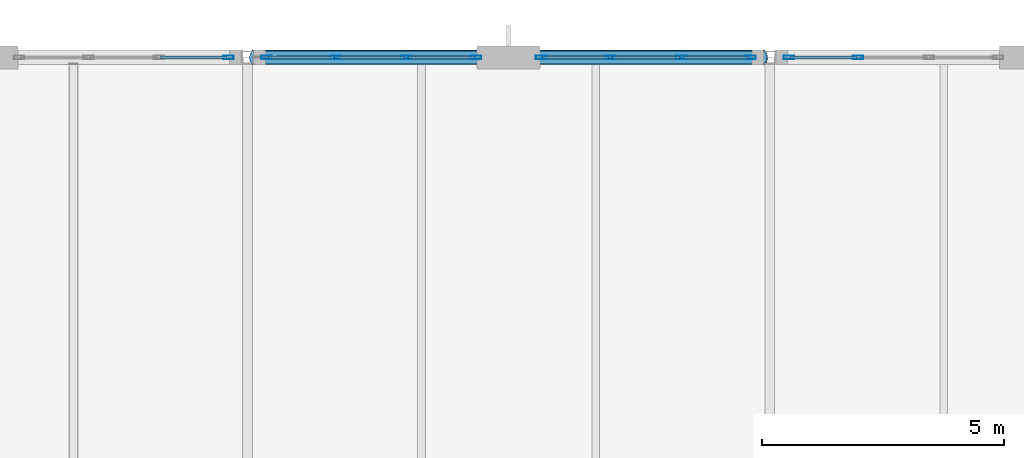
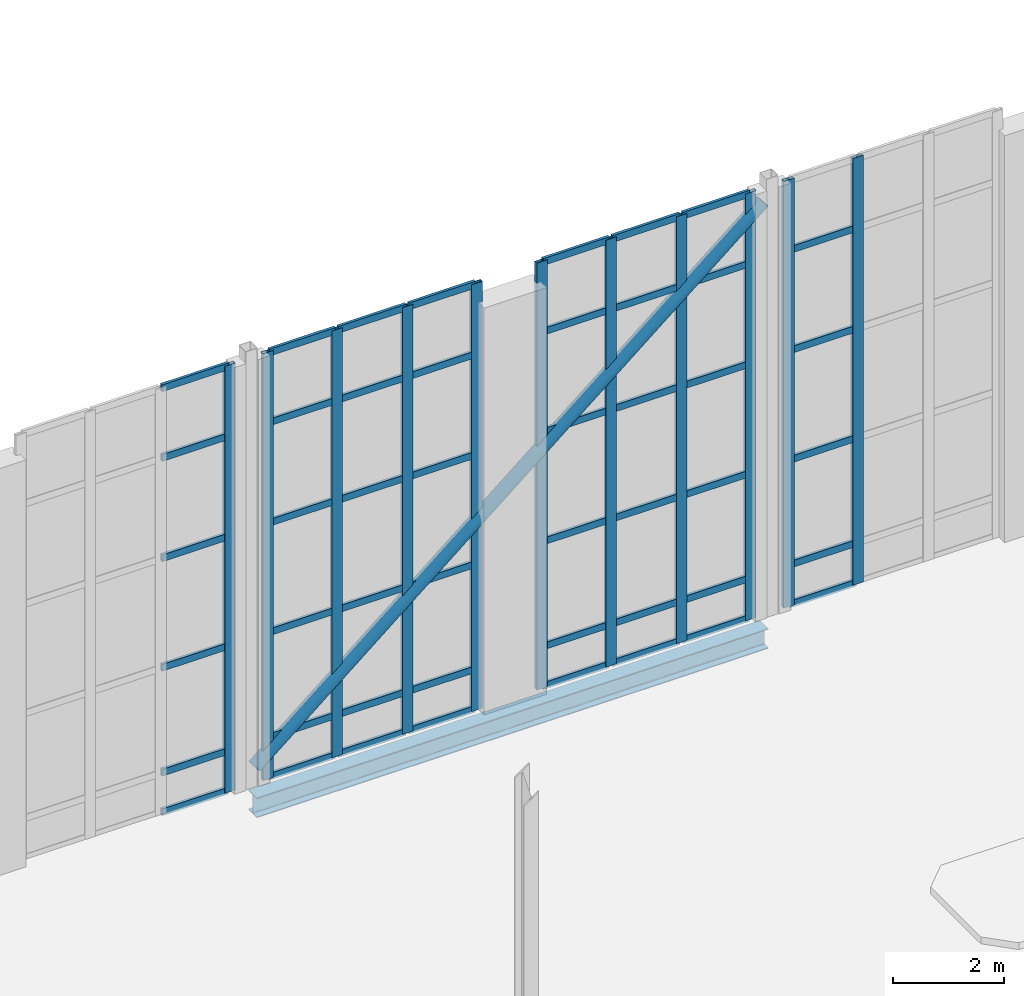
# One storey, part 54 of 100: 59 members, 1 beam, 4 elements without a shape of their own.
"""IFC4 building model written with IfcOpenShell, lengths in metres."""

from ifc_helpers import new_model, si_unit, direction, frame, origin, origin_2d, place, context, subcontext, project, spatial, hollow_rectangle, hollow_circle, i_section, extrude, material, layer, layer_set, material_profile, profile_set, type_object, element, aggregate, save


model = new_model("IFC4")

# Units and contexts
model_context = context("Model", 3, precision=1e-05, world=origin(), true_north=direction((0.0, 1.0)))
body_context = subcontext(model_context, "Body", "Model", "MODEL_VIEW")
ifc_project = project(units=[si_unit("LENGTHUNIT", "METRE"), si_unit("AREAUNIT", "SQUARE_METRE"), si_unit("VOLUMEUNIT", "CUBIC_METRE"), si_unit("PLANEANGLEUNIT", "RADIAN"), si_unit("MASSUNIT", "GRAM", prefix="KILO")], contexts=[model_context])

# Site, building, storey
site_placement = place(None, origin())
site = spatial("IfcSite", under=ifc_project, at=site_placement, CompositionType="ELEMENT")
building_placement = place(site_placement, origin())
building = spatial("IfcBuilding", under=site, at=building_placement, Name="Tasgan Crest Museum", CompositionType="ELEMENT")
storey_placement = place(building_placement, frame((0.0, 0.0, 14.39990234375)))
storey = spatial("IfcBuildingStorey", under=building, at=storey_placement, Name="L03", CompositionType="ELEMENT", Elevation=14.39990234375)

# Beam
ifc_material_1 = material(Name="Steel S355J2", Category="steel")
ifc_material_profile_1 = material_profile(ifc_material_1, i_section(OverallWidth=0.300048828125, OverallDepth=0.43994140625, WebThickness=0.011474609375, FlangeThickness=0.02099609375, FilletRadius=0.027099609375, at=origin_2d()), Name="HEA 450")
ifc_profile_set_1 = profile_set([ifc_material_profile_1], Name="Steel S355J2")
beam_type = type_object("IfcBeamType", Name="BM-G-HEA450", PredefinedType="BEAM", material=ifc_profile_set_1)
beam_placement = place(storey_placement, frame((64.89599609375, 112.0, -0.4599609375), z_axis=(1.0, 0.0, 0.0), x_axis=(0.0, 1.0, 0.0)))
element("IfcBeam", 1, at=beam_placement, inside=storey, type_object=beam_type, Name="Girder L03 M 64.8-75.6", PredefinedType="BEAM", context=body_context, shape_type="SweptSolid", body=[
    extrude(i_section(OverallWidth=0.300048828125, OverallDepth=0.43994140625, WebThickness=0.011474609375, FlangeThickness=0.02099609375, FilletRadius=0.027099609375, at=origin_2d()), origin(), (0.0, 0.0, 1.0), 10.60791015625),
])

# Curtain wall, members
ifc_material_2 = material(Name="Triple-Glazed Aluminium Curtain Wall", Category="aluminium")
ifc_layer_1 = layer(ifc_material_2, 0.179931640625, Name="CW-GAL-X-96")
ifc_layer_set_1 = layer_set([ifc_layer_1], Name="Triple-Glazed Aluminium Curtain Wall")
curtain_wall_type_1 = type_object("IfcCurtainWallType", Name="CW-GAL-X-96", PredefinedType="NOTDEFINED", material=ifc_layer_set_1)
curtain_wall_1_placement = place(storey_placement, origin())
curtain_wall_1 = element("IfcCurtainWall", 2, at=curtain_wall_1_placement, inside=storey, type_object=curtain_wall_type_1, Name="Curtain wall L03 126", PredefinedType="NOTDEFINED")
ifc_material_3 = material(Name="Anodised Aluminium", Category="aluminium")
ifc_material_profile_2 = material_profile(ifc_material_3, hollow_rectangle(XDim=0.074951171875, YDim=0.219970703125, WallThickness=0.006103515625, at=origin_2d()), Name="ALU MULLION 220x75x6")
ifc_profile_set_2 = profile_set([ifc_material_profile_2], Name="Anodised Aluminium")
member_type_1 = type_object("IfcMemberType", Name="CW-MULLION-220", PredefinedType="MULLION", material=ifc_profile_set_2)
member_1_placement = place(storey_placement, frame((77.42822265625, 112.0, 0.0), z_axis=(0.0, 0.0, 1.0), x_axis=(0.0, -1.0, 0.0)))
member_1 = element("IfcMember", 3, at=member_1_placement, type_object=member_type_1, Name="CW14 mullion 3", PredefinedType="MULLION", context=body_context, shape_type="SweptSolid", body=[
    extrude(hollow_rectangle(XDim=0.074951171875, YDim=0.219970703125, WallThickness=0.006103515625, at=origin_2d()), origin(), (0.0, 0.0, 1.0), 9.360107421875),
])
member_2_placement = place(storey_placement, frame((75.9951171875, 112.0, 0.0), z_axis=(0.0, 0.0, 1.0), x_axis=(0.0, -1.0, 0.0)))
member_2 = element("IfcMember", 4, at=member_2_placement, type_object=member_type_1, Name="CW14 mullion 4", PredefinedType="MULLION", context=body_context, shape_type="SweptSolid", body=[
    extrude(hollow_rectangle(XDim=0.074951171875, YDim=0.219970703125, WallThickness=0.006103515625, at=origin_2d()), origin(), (0.0, 0.0, 1.0), 9.360107421875),
])

curtain_wall_2_placement = place(storey_placement, origin())
curtain_wall_2 = element("IfcCurtainWall", 5, at=curtain_wall_2_placement, inside=storey, type_object=curtain_wall_type_1, Name="Curtain wall L03 127", PredefinedType="NOTDEFINED")
member_3_placement = place(storey_placement, frame((75.205078125, 112.0, 0.0), z_axis=(0.0, 0.0, 1.0), x_axis=(0.0, -1.0, 0.0)))
member_3 = element("IfcMember", 6, at=member_3_placement, type_object=member_type_1, Name="CW14 mullion 1", PredefinedType="MULLION", context=body_context, shape_type="SweptSolid", body=[
    extrude(hollow_rectangle(XDim=0.074951171875, YDim=0.219970703125, WallThickness=0.006103515625, at=origin_2d()), origin(), (0.0, 0.0, 1.0), 9.360107421875),
])
member_4_placement = place(storey_placement, frame((73.771728515625, 112.0, 0.0), z_axis=(0.0, 0.0, 1.0), x_axis=(0.0, -1.0, 0.0)))
member_4 = element("IfcMember", 7, at=member_4_placement, type_object=member_type_1, Name="CW14 mullion 2", PredefinedType="MULLION", context=body_context, shape_type="SweptSolid", body=[
    extrude(hollow_rectangle(XDim=0.074951171875, YDim=0.219970703125, WallThickness=0.006103515625, at=origin_2d()), origin(), (0.0, 0.0, 1.0), 9.360107421875),
])
member_5_placement = place(storey_placement, frame((72.308349609375, 112.0, 0.0), z_axis=(0.0, 0.0, 1.0), x_axis=(0.0, -1.0, 0.0)))
member_5 = element("IfcMember", 8, at=member_5_placement, type_object=member_type_1, Name="CW14 mullion 3", PredefinedType="MULLION", context=body_context, shape_type="SweptSolid", body=[
    extrude(hollow_rectangle(XDim=0.074951171875, YDim=0.219970703125, WallThickness=0.006103515625, at=origin_2d()), origin(), (0.0, 0.0, 1.0), 9.360107421875),
])
member_6_placement = place(storey_placement, frame((70.875, 112.0, 0.0), z_axis=(0.0, 0.0, 1.0), x_axis=(0.0, -1.0, 0.0)))
member_6 = element("IfcMember", 9, at=member_6_placement, type_object=member_type_1, Name="CW14 mullion 4", PredefinedType="MULLION", context=body_context, shape_type="SweptSolid", body=[
    extrude(hollow_rectangle(XDim=0.074951171875, YDim=0.219970703125, WallThickness=0.006103515625, at=origin_2d()), origin(), (0.0, 0.0, 1.0), 9.360107421875),
])

curtain_wall_3_placement = place(storey_placement, origin())
curtain_wall_3 = element("IfcCurtainWall", 10, at=curtain_wall_3_placement, inside=storey, type_object=curtain_wall_type_1, Name="Curtain wall L03 128", PredefinedType="NOTDEFINED")
member_7_placement = place(storey_placement, frame((69.52490234375, 112.0, 0.0), z_axis=(0.0, 0.0, 1.0), x_axis=(0.0, -1.0, 0.0)))
member_7 = element("IfcMember", 11, at=member_7_placement, type_object=member_type_1, Name="CW14 mullion 1", PredefinedType="MULLION", context=body_context, shape_type="SweptSolid", body=[
    extrude(hollow_rectangle(XDim=0.074951171875, YDim=0.219970703125, WallThickness=0.006103515625, at=origin_2d()), origin(), (0.0, 0.0, 1.0), 9.360107421875),
])
member_8_placement = place(storey_placement, frame((68.091552734375, 112.0, 0.0), z_axis=(0.0, 0.0, 1.0), x_axis=(0.0, -1.0, 0.0)))
member_8 = element("IfcMember", 12, at=member_8_placement, type_object=member_type_1, Name="CW14 mullion 2", PredefinedType="MULLION", context=body_context, shape_type="SweptSolid", body=[
    extrude(hollow_rectangle(XDim=0.074951171875, YDim=0.219970703125, WallThickness=0.006103515625, at=origin_2d()), origin(), (0.0, 0.0, 1.0), 9.360107421875),
])
member_9_placement = place(storey_placement, frame((66.62841796875, 112.0, 0.0), z_axis=(0.0, 0.0, 1.0), x_axis=(0.0, -1.0, 0.0)))
member_9 = element("IfcMember", 13, at=member_9_placement, type_object=member_type_1, Name="CW14 mullion 3", PredefinedType="MULLION", context=body_context, shape_type="SweptSolid", body=[
    extrude(hollow_rectangle(XDim=0.074951171875, YDim=0.219970703125, WallThickness=0.006103515625, at=origin_2d()), origin(), (0.0, 0.0, 1.0), 9.360107421875),
])
member_10_placement = place(storey_placement, frame((65.195068359375, 112.0, 0.0), z_axis=(0.0, 0.0, 1.0), x_axis=(0.0, -1.0, 0.0)))
member_10 = element("IfcMember", 14, at=member_10_placement, type_object=member_type_1, Name="CW14 mullion 4", PredefinedType="MULLION", context=body_context, shape_type="SweptSolid", body=[
    extrude(hollow_rectangle(XDim=0.074951171875, YDim=0.219970703125, WallThickness=0.006103515625, at=origin_2d()), origin(), (0.0, 0.0, 1.0), 9.360107421875),
])

# Curtain wall, member
ifc_material_4 = material(Name="Triple-Glazed Aluminium Curtain Wall", Category="aluminium")
ifc_layer_2 = layer(ifc_material_4, 0.179931640625, Name="CW-CORE-STRIP-96")
ifc_layer_set_2 = layer_set([ifc_layer_2], Name="Triple-Glazed Aluminium Curtain Wall")
curtain_wall_type_2 = type_object("IfcCurtainWallType", Name="CW-CORE-STRIP-96", PredefinedType="NOTDEFINED", material=ifc_layer_set_2)
curtain_wall_4_placement = place(storey_placement, origin())
curtain_wall_4 = element("IfcCurtainWall", 15, at=curtain_wall_4_placement, inside=storey, type_object=curtain_wall_type_2, Name="Curtain wall L03 129", PredefinedType="NOTDEFINED")
member_11_placement = place(storey_placement, frame((64.405029296875, 112.0, 0.0), z_axis=(0.0, 0.0, 1.0), x_axis=(0.0, -1.0, 0.0)))
member_11 = element("IfcMember", 16, at=member_11_placement, type_object=member_type_1, Name="CW20 mullion 1", PredefinedType="MULLION", context=body_context, shape_type="SweptSolid", body=[
    extrude(hollow_rectangle(XDim=0.074951171875, YDim=0.219970703125, WallThickness=0.006103515625, at=origin_2d()), origin(), (0.0, 0.0, 1.0), 9.360107421875),
])

# Member
ifc_material_5 = material(Name="Anodised Aluminium", Category="aluminium")
ifc_material_profile_3 = material_profile(ifc_material_5, hollow_rectangle(XDim=0.06005859375, YDim=0.14990234375, WallThickness=0.0048828125, at=origin_2d()), Name="ALU TRANSOM 150x60x5")
ifc_profile_set_3 = profile_set([ifc_material_profile_3], Name="Anodised Aluminium")
member_type_2 = type_object("IfcMemberType", Name="CW-TRANSOM-150", PredefinedType="USERDEFINED", material=ifc_profile_set_3)
member_12_placement = place(storey_placement, frame((77.3984375, 112.0, 0.030029296875), z_axis=(-1.0, 0.0, 0.0), x_axis=(0.0, -1.0, 0.0)))
member_12 = element("IfcMember", 17, at=member_12_placement, type_object=member_type_2, Name="CW14 transom 3.1", ObjectType="TRANSOM", PredefinedType="USERDEFINED", context=body_context, shape_type="SweptSolid", body=[
    extrude(hollow_rectangle(XDim=0.06005859375, YDim=0.14990234375, WallThickness=0.0048828125, at=origin_2d()), origin(), (0.0, 0.0, 1.0), 1.37353515625),
])

member_13_placement = place(storey_placement, frame((77.3984375, 112.0, 0.900146484375), z_axis=(-1.0, 0.0, 0.0), x_axis=(0.0, -1.0, 0.0)))
member_13 = element("IfcMember", 18, at=member_13_placement, type_object=member_type_2, Name="CW14 transom 3.2", ObjectType="TRANSOM", PredefinedType="USERDEFINED", context=body_context, shape_type="SweptSolid", body=[
    extrude(hollow_rectangle(XDim=0.06005859375, YDim=0.14990234375, WallThickness=0.0048828125, at=origin_2d()), origin(), (0.0, 0.0, 1.0), 1.37353515625),
])

member_14_placement = place(storey_placement, frame((77.3984375, 112.0, 3.2001953125), z_axis=(-1.0, 0.0, 0.0), x_axis=(0.0, -1.0, 0.0)))
member_14 = element("IfcMember", 19, at=member_14_placement, type_object=member_type_2, Name="CW14 transom 3.3", ObjectType="TRANSOM", PredefinedType="USERDEFINED", context=body_context, shape_type="SweptSolid", body=[
    extrude(hollow_rectangle(XDim=0.06005859375, YDim=0.14990234375, WallThickness=0.0048828125, at=origin_2d()), origin(), (0.0, 0.0, 1.0), 1.37353515625),
])

member_15_placement = place(storey_placement, frame((77.3984375, 112.0, 5.60009765625), z_axis=(-1.0, 0.0, 0.0), x_axis=(0.0, -1.0, 0.0)))
member_15 = element("IfcMember", 20, at=member_15_placement, type_object=member_type_2, Name="CW14 transom 3.4", ObjectType="TRANSOM", PredefinedType="USERDEFINED", context=body_context, shape_type="SweptSolid", body=[
    extrude(hollow_rectangle(XDim=0.06005859375, YDim=0.14990234375, WallThickness=0.0048828125, at=origin_2d()), origin(), (0.0, 0.0, 1.0), 1.37353515625),
])

member_16_placement = place(storey_placement, frame((77.3984375, 112.0, 7.800048828125), z_axis=(-1.0, 0.0, 0.0), x_axis=(0.0, -1.0, 0.0)))
member_16 = element("IfcMember", 21, at=member_16_placement, type_object=member_type_2, Name="CW14 transom 3.5", ObjectType="TRANSOM", PredefinedType="USERDEFINED", context=body_context, shape_type="SweptSolid", body=[
    extrude(hollow_rectangle(XDim=0.06005859375, YDim=0.14990234375, WallThickness=0.0048828125, at=origin_2d()), origin(), (0.0, 0.0, 1.0), 1.37353515625),
])

aggregate(curtain_wall_1, [member_1, member_2, member_12, member_13, member_14, member_15, member_16])

member_17_placement = place(storey_placement, frame((75.175048828125, 112.0, 0.030029296875), z_axis=(-1.0, 0.0, 0.0), x_axis=(0.0, -1.0, 0.0)))
member_17 = element("IfcMember", 22, at=member_17_placement, type_object=member_type_2, Name="CW14 transom 1.1", ObjectType="TRANSOM", PredefinedType="USERDEFINED", context=body_context, shape_type="SweptSolid", body=[
    extrude(hollow_rectangle(XDim=0.06005859375, YDim=0.14990234375, WallThickness=0.0048828125, at=origin_2d()), origin(), (0.0, 0.0, 1.0), 1.373291015625),
])

member_18_placement = place(storey_placement, frame((75.175048828125, 112.0, 0.900146484375), z_axis=(-1.0, 0.0, 0.0), x_axis=(0.0, -1.0, 0.0)))
member_18 = element("IfcMember", 23, at=member_18_placement, type_object=member_type_2, Name="CW14 transom 1.2", ObjectType="TRANSOM", PredefinedType="USERDEFINED", context=body_context, shape_type="SweptSolid", body=[
    extrude(hollow_rectangle(XDim=0.06005859375, YDim=0.14990234375, WallThickness=0.0048828125, at=origin_2d()), origin(), (0.0, 0.0, 1.0), 1.373291015625),
])

member_19_placement = place(storey_placement, frame((75.175048828125, 112.0, 3.2001953125), z_axis=(-1.0, 0.0, 0.0), x_axis=(0.0, -1.0, 0.0)))
member_19 = element("IfcMember", 24, at=member_19_placement, type_object=member_type_2, Name="CW14 transom 1.3", ObjectType="TRANSOM", PredefinedType="USERDEFINED", context=body_context, shape_type="SweptSolid", body=[
    extrude(hollow_rectangle(XDim=0.06005859375, YDim=0.14990234375, WallThickness=0.0048828125, at=origin_2d()), origin(), (0.0, 0.0, 1.0), 1.373291015625),
])

member_20_placement = place(storey_placement, frame((75.175048828125, 112.0, 5.60009765625), z_axis=(-1.0, 0.0, 0.0), x_axis=(0.0, -1.0, 0.0)))
member_20 = element("IfcMember", 25, at=member_20_placement, type_object=member_type_2, Name="CW14 transom 1.4", ObjectType="TRANSOM", PredefinedType="USERDEFINED", context=body_context, shape_type="SweptSolid", body=[
    extrude(hollow_rectangle(XDim=0.06005859375, YDim=0.14990234375, WallThickness=0.0048828125, at=origin_2d()), origin(), (0.0, 0.0, 1.0), 1.373291015625),
])

member_21_placement = place(storey_placement, frame((75.175048828125, 112.0, 7.800048828125), z_axis=(-1.0, 0.0, 0.0), x_axis=(0.0, -1.0, 0.0)))
member_21 = element("IfcMember", 26, at=member_21_placement, type_object=member_type_2, Name="CW14 transom 1.5", ObjectType="TRANSOM", PredefinedType="USERDEFINED", context=body_context, shape_type="SweptSolid", body=[
    extrude(hollow_rectangle(XDim=0.06005859375, YDim=0.14990234375, WallThickness=0.0048828125, at=origin_2d()), origin(), (0.0, 0.0, 1.0), 1.373291015625),
])

member_22_placement = place(storey_placement, frame((75.175048828125, 112.0, 9.330078125), z_axis=(-1.0, 0.0, 0.0), x_axis=(0.0, -1.0, 0.0)))
member_22 = element("IfcMember", 27, at=member_22_placement, type_object=member_type_2, Name="CW14 transom 1.6", ObjectType="TRANSOM", PredefinedType="USERDEFINED", context=body_context, shape_type="SweptSolid", body=[
    extrude(hollow_rectangle(XDim=0.06005859375, YDim=0.14990234375, WallThickness=0.0048828125, at=origin_2d()), origin(), (0.0, 0.0, 1.0), 1.373291015625),
])

member_23_placement = place(storey_placement, frame((73.74169921875, 112.0, 0.030029296875), z_axis=(-1.0, 0.0, 0.0), x_axis=(0.0, -1.0, 0.0)))
member_23 = element("IfcMember", 28, at=member_23_placement, type_object=member_type_2, Name="CW14 transom 2.1", ObjectType="TRANSOM", PredefinedType="USERDEFINED", context=body_context, shape_type="SweptSolid", body=[
    extrude(hollow_rectangle(XDim=0.06005859375, YDim=0.14990234375, WallThickness=0.0048828125, at=origin_2d()), origin(), (0.0, 0.0, 1.0), 1.4033203125),
])

member_24_placement = place(storey_placement, frame((73.74169921875, 112.0, 0.900146484375), z_axis=(-1.0, 0.0, 0.0), x_axis=(0.0, -1.0, 0.0)))
member_24 = element("IfcMember", 29, at=member_24_placement, type_object=member_type_2, Name="CW14 transom 2.2", ObjectType="TRANSOM", PredefinedType="USERDEFINED", context=body_context, shape_type="SweptSolid", body=[
    extrude(hollow_rectangle(XDim=0.06005859375, YDim=0.14990234375, WallThickness=0.0048828125, at=origin_2d()), origin(), (0.0, 0.0, 1.0), 1.4033203125),
])

member_25_placement = place(storey_placement, frame((73.74169921875, 112.0, 3.2001953125), z_axis=(-1.0, 0.0, 0.0), x_axis=(0.0, -1.0, 0.0)))
member_25 = element("IfcMember", 30, at=member_25_placement, type_object=member_type_2, Name="CW14 transom 2.3", ObjectType="TRANSOM", PredefinedType="USERDEFINED", context=body_context, shape_type="SweptSolid", body=[
    extrude(hollow_rectangle(XDim=0.06005859375, YDim=0.14990234375, WallThickness=0.0048828125, at=origin_2d()), origin(), (0.0, 0.0, 1.0), 1.4033203125),
])

member_26_placement = place(storey_placement, frame((73.74169921875, 112.0, 5.60009765625), z_axis=(-1.0, 0.0, 0.0), x_axis=(0.0, -1.0, 0.0)))
member_26 = element("IfcMember", 31, at=member_26_placement, type_object=member_type_2, Name="CW14 transom 2.4", ObjectType="TRANSOM", PredefinedType="USERDEFINED", context=body_context, shape_type="SweptSolid", body=[
    extrude(hollow_rectangle(XDim=0.06005859375, YDim=0.14990234375, WallThickness=0.0048828125, at=origin_2d()), origin(), (0.0, 0.0, 1.0), 1.4033203125),
])

member_27_placement = place(storey_placement, frame((73.74169921875, 112.0, 7.800048828125), z_axis=(-1.0, 0.0, 0.0), x_axis=(0.0, -1.0, 0.0)))
member_27 = element("IfcMember", 32, at=member_27_placement, type_object=member_type_2, Name="CW14 transom 2.5", ObjectType="TRANSOM", PredefinedType="USERDEFINED", context=body_context, shape_type="SweptSolid", body=[
    extrude(hollow_rectangle(XDim=0.06005859375, YDim=0.14990234375, WallThickness=0.0048828125, at=origin_2d()), origin(), (0.0, 0.0, 1.0), 1.4033203125),
])

member_28_placement = place(storey_placement, frame((73.74169921875, 112.0, 9.330078125), z_axis=(-1.0, 0.0, 0.0), x_axis=(0.0, -1.0, 0.0)))
member_28 = element("IfcMember", 33, at=member_28_placement, type_object=member_type_2, Name="CW14 transom 2.6", ObjectType="TRANSOM", PredefinedType="USERDEFINED", context=body_context, shape_type="SweptSolid", body=[
    extrude(hollow_rectangle(XDim=0.06005859375, YDim=0.14990234375, WallThickness=0.0048828125, at=origin_2d()), origin(), (0.0, 0.0, 1.0), 1.4033203125),
])

member_29_placement = place(storey_placement, frame((72.2783203125, 112.0, 0.030029296875), z_axis=(-1.0, 0.0, 0.0), x_axis=(0.0, -1.0, 0.0)))
member_29 = element("IfcMember", 34, at=member_29_placement, type_object=member_type_2, Name="CW14 transom 3.1", ObjectType="TRANSOM", PredefinedType="USERDEFINED", context=body_context, shape_type="SweptSolid", body=[
    extrude(hollow_rectangle(XDim=0.06005859375, YDim=0.14990234375, WallThickness=0.0048828125, at=origin_2d()), origin(), (0.0, 0.0, 1.0), 1.373291015625),
])

member_30_placement = place(storey_placement, frame((72.2783203125, 112.0, 0.900146484375), z_axis=(-1.0, 0.0, 0.0), x_axis=(0.0, -1.0, 0.0)))
member_30 = element("IfcMember", 35, at=member_30_placement, type_object=member_type_2, Name="CW14 transom 3.2", ObjectType="TRANSOM", PredefinedType="USERDEFINED", context=body_context, shape_type="SweptSolid", body=[
    extrude(hollow_rectangle(XDim=0.06005859375, YDim=0.14990234375, WallThickness=0.0048828125, at=origin_2d()), origin(), (0.0, 0.0, 1.0), 1.373291015625),
])

member_31_placement = place(storey_placement, frame((72.2783203125, 112.0, 3.2001953125), z_axis=(-1.0, 0.0, 0.0), x_axis=(0.0, -1.0, 0.0)))
member_31 = element("IfcMember", 36, at=member_31_placement, type_object=member_type_2, Name="CW14 transom 3.3", ObjectType="TRANSOM", PredefinedType="USERDEFINED", context=body_context, shape_type="SweptSolid", body=[
    extrude(hollow_rectangle(XDim=0.06005859375, YDim=0.14990234375, WallThickness=0.0048828125, at=origin_2d()), origin(), (0.0, 0.0, 1.0), 1.373291015625),
])

member_32_placement = place(storey_placement, frame((72.2783203125, 112.0, 5.60009765625), z_axis=(-1.0, 0.0, 0.0), x_axis=(0.0, -1.0, 0.0)))
member_32 = element("IfcMember", 37, at=member_32_placement, type_object=member_type_2, Name="CW14 transom 3.4", ObjectType="TRANSOM", PredefinedType="USERDEFINED", context=body_context, shape_type="SweptSolid", body=[
    extrude(hollow_rectangle(XDim=0.06005859375, YDim=0.14990234375, WallThickness=0.0048828125, at=origin_2d()), origin(), (0.0, 0.0, 1.0), 1.373291015625),
])

member_33_placement = place(storey_placement, frame((72.2783203125, 112.0, 7.800048828125), z_axis=(-1.0, 0.0, 0.0), x_axis=(0.0, -1.0, 0.0)))
member_33 = element("IfcMember", 38, at=member_33_placement, type_object=member_type_2, Name="CW14 transom 3.5", ObjectType="TRANSOM", PredefinedType="USERDEFINED", context=body_context, shape_type="SweptSolid", body=[
    extrude(hollow_rectangle(XDim=0.06005859375, YDim=0.14990234375, WallThickness=0.0048828125, at=origin_2d()), origin(), (0.0, 0.0, 1.0), 1.373291015625),
])

member_34_placement = place(storey_placement, frame((72.2783203125, 112.0, 9.330078125), z_axis=(-1.0, 0.0, 0.0), x_axis=(0.0, -1.0, 0.0)))
member_34 = element("IfcMember", 39, at=member_34_placement, type_object=member_type_2, Name="CW14 transom 3.6", ObjectType="TRANSOM", PredefinedType="USERDEFINED", context=body_context, shape_type="SweptSolid", body=[
    extrude(hollow_rectangle(XDim=0.06005859375, YDim=0.14990234375, WallThickness=0.0048828125, at=origin_2d()), origin(), (0.0, 0.0, 1.0), 1.373291015625),
])

aggregate(curtain_wall_2, [member_3, member_4, member_5, member_6, member_17, member_18, member_19, member_20, member_21, member_22, member_23, member_24, member_25, member_26, member_27, member_28, member_29, member_30, member_31, member_32, member_33, member_34])

member_35_placement = place(storey_placement, frame((69.4951171875, 112.0, 0.030029296875), z_axis=(-1.0, 0.0, 0.0), x_axis=(0.0, -1.0, 0.0)))
member_35 = element("IfcMember", 40, at=member_35_placement, type_object=member_type_2, Name="CW14 transom 1.1", ObjectType="TRANSOM", PredefinedType="USERDEFINED", context=body_context, shape_type="SweptSolid", body=[
    extrude(hollow_rectangle(XDim=0.06005859375, YDim=0.14990234375, WallThickness=0.0048828125, at=origin_2d()), origin(), (0.0, 0.0, 1.0), 1.37353515625),
])

member_36_placement = place(storey_placement, frame((69.4951171875, 112.0, 0.900146484375), z_axis=(-1.0, 0.0, 0.0), x_axis=(0.0, -1.0, 0.0)))
member_36 = element("IfcMember", 41, at=member_36_placement, type_object=member_type_2, Name="CW14 transom 1.2", ObjectType="TRANSOM", PredefinedType="USERDEFINED", context=body_context, shape_type="SweptSolid", body=[
    extrude(hollow_rectangle(XDim=0.06005859375, YDim=0.14990234375, WallThickness=0.0048828125, at=origin_2d()), origin(), (0.0, 0.0, 1.0), 1.37353515625),
])

member_37_placement = place(storey_placement, frame((69.4951171875, 112.0, 3.2001953125), z_axis=(-1.0, 0.0, 0.0), x_axis=(0.0, -1.0, 0.0)))
member_37 = element("IfcMember", 42, at=member_37_placement, type_object=member_type_2, Name="CW14 transom 1.3", ObjectType="TRANSOM", PredefinedType="USERDEFINED", context=body_context, shape_type="SweptSolid", body=[
    extrude(hollow_rectangle(XDim=0.06005859375, YDim=0.14990234375, WallThickness=0.0048828125, at=origin_2d()), origin(), (0.0, 0.0, 1.0), 1.37353515625),
])

member_38_placement = place(storey_placement, frame((69.4951171875, 112.0, 5.60009765625), z_axis=(-1.0, 0.0, 0.0), x_axis=(0.0, -1.0, 0.0)))
member_38 = element("IfcMember", 43, at=member_38_placement, type_object=member_type_2, Name="CW14 transom 1.4", ObjectType="TRANSOM", PredefinedType="USERDEFINED", context=body_context, shape_type="SweptSolid", body=[
    extrude(hollow_rectangle(XDim=0.06005859375, YDim=0.14990234375, WallThickness=0.0048828125, at=origin_2d()), origin(), (0.0, 0.0, 1.0), 1.37353515625),
])

member_39_placement = place(storey_placement, frame((69.4951171875, 112.0, 7.800048828125), z_axis=(-1.0, 0.0, 0.0), x_axis=(0.0, -1.0, 0.0)))
member_39 = element("IfcMember", 44, at=member_39_placement, type_object=member_type_2, Name="CW14 transom 1.5", ObjectType="TRANSOM", PredefinedType="USERDEFINED", context=body_context, shape_type="SweptSolid", body=[
    extrude(hollow_rectangle(XDim=0.06005859375, YDim=0.14990234375, WallThickness=0.0048828125, at=origin_2d()), origin(), (0.0, 0.0, 1.0), 1.37353515625),
])

member_40_placement = place(storey_placement, frame((69.4951171875, 112.0, 9.330078125), z_axis=(-1.0, 0.0, 0.0), x_axis=(0.0, -1.0, 0.0)))
member_40 = element("IfcMember", 45, at=member_40_placement, type_object=member_type_2, Name="CW14 transom 1.6", ObjectType="TRANSOM", PredefinedType="USERDEFINED", context=body_context, shape_type="SweptSolid", body=[
    extrude(hollow_rectangle(XDim=0.06005859375, YDim=0.14990234375, WallThickness=0.0048828125, at=origin_2d()), origin(), (0.0, 0.0, 1.0), 1.37353515625),
])

member_41_placement = place(storey_placement, frame((68.061767578125, 112.0, 0.030029296875), z_axis=(-1.0, 0.0, 0.0), x_axis=(0.0, -1.0, 0.0)))
member_41 = element("IfcMember", 46, at=member_41_placement, type_object=member_type_2, Name="CW14 transom 2.1", ObjectType="TRANSOM", PredefinedType="USERDEFINED", context=body_context, shape_type="SweptSolid", body=[
    extrude(hollow_rectangle(XDim=0.06005859375, YDim=0.14990234375, WallThickness=0.0048828125, at=origin_2d()), origin(), (0.0, 0.0, 1.0), 1.4033203125),
])

member_42_placement = place(storey_placement, frame((68.061767578125, 112.0, 0.900146484375), z_axis=(-1.0, 0.0, 0.0), x_axis=(0.0, -1.0, 0.0)))
member_42 = element("IfcMember", 47, at=member_42_placement, type_object=member_type_2, Name="CW14 transom 2.2", ObjectType="TRANSOM", PredefinedType="USERDEFINED", context=body_context, shape_type="SweptSolid", body=[
    extrude(hollow_rectangle(XDim=0.06005859375, YDim=0.14990234375, WallThickness=0.0048828125, at=origin_2d()), origin(), (0.0, 0.0, 1.0), 1.4033203125),
])

member_43_placement = place(storey_placement, frame((68.061767578125, 112.0, 3.2001953125), z_axis=(-1.0, 0.0, 0.0), x_axis=(0.0, -1.0, 0.0)))
member_43 = element("IfcMember", 48, at=member_43_placement, type_object=member_type_2, Name="CW14 transom 2.3", ObjectType="TRANSOM", PredefinedType="USERDEFINED", context=body_context, shape_type="SweptSolid", body=[
    extrude(hollow_rectangle(XDim=0.06005859375, YDim=0.14990234375, WallThickness=0.0048828125, at=origin_2d()), origin(), (0.0, 0.0, 1.0), 1.4033203125),
])

member_44_placement = place(storey_placement, frame((68.061767578125, 112.0, 5.60009765625), z_axis=(-1.0, 0.0, 0.0), x_axis=(0.0, -1.0, 0.0)))
member_44 = element("IfcMember", 49, at=member_44_placement, type_object=member_type_2, Name="CW14 transom 2.4", ObjectType="TRANSOM", PredefinedType="USERDEFINED", context=body_context, shape_type="SweptSolid", body=[
    extrude(hollow_rectangle(XDim=0.06005859375, YDim=0.14990234375, WallThickness=0.0048828125, at=origin_2d()), origin(), (0.0, 0.0, 1.0), 1.4033203125),
])

member_45_placement = place(storey_placement, frame((68.061767578125, 112.0, 7.800048828125), z_axis=(-1.0, 0.0, 0.0), x_axis=(0.0, -1.0, 0.0)))
member_45 = element("IfcMember", 50, at=member_45_placement, type_object=member_type_2, Name="CW14 transom 2.5", ObjectType="TRANSOM", PredefinedType="USERDEFINED", context=body_context, shape_type="SweptSolid", body=[
    extrude(hollow_rectangle(XDim=0.06005859375, YDim=0.14990234375, WallThickness=0.0048828125, at=origin_2d()), origin(), (0.0, 0.0, 1.0), 1.4033203125),
])

member_46_placement = place(storey_placement, frame((68.061767578125, 112.0, 9.330078125), z_axis=(-1.0, 0.0, 0.0), x_axis=(0.0, -1.0, 0.0)))
member_46 = element("IfcMember", 51, at=member_46_placement, type_object=member_type_2, Name="CW14 transom 2.6", ObjectType="TRANSOM", PredefinedType="USERDEFINED", context=body_context, shape_type="SweptSolid", body=[
    extrude(hollow_rectangle(XDim=0.06005859375, YDim=0.14990234375, WallThickness=0.0048828125, at=origin_2d()), origin(), (0.0, 0.0, 1.0), 1.4033203125),
])

member_47_placement = place(storey_placement, frame((66.598388671875, 112.0, 0.030029296875), z_axis=(-1.0, 0.0, 0.0), x_axis=(0.0, -1.0, 0.0)))
member_47 = element("IfcMember", 52, at=member_47_placement, type_object=member_type_2, Name="CW14 transom 3.1", ObjectType="TRANSOM", PredefinedType="USERDEFINED", context=body_context, shape_type="SweptSolid", body=[
    extrude(hollow_rectangle(XDim=0.06005859375, YDim=0.14990234375, WallThickness=0.0048828125, at=origin_2d()), origin(), (0.0, 0.0, 1.0), 1.373291015625),
])

member_48_placement = place(storey_placement, frame((66.598388671875, 112.0, 0.900146484375), z_axis=(-1.0, 0.0, 0.0), x_axis=(0.0, -1.0, 0.0)))
member_48 = element("IfcMember", 53, at=member_48_placement, type_object=member_type_2, Name="CW14 transom 3.2", ObjectType="TRANSOM", PredefinedType="USERDEFINED", context=body_context, shape_type="SweptSolid", body=[
    extrude(hollow_rectangle(XDim=0.06005859375, YDim=0.14990234375, WallThickness=0.0048828125, at=origin_2d()), origin(), (0.0, 0.0, 1.0), 1.373291015625),
])

member_49_placement = place(storey_placement, frame((66.598388671875, 112.0, 3.2001953125), z_axis=(-1.0, 0.0, 0.0), x_axis=(0.0, -1.0, 0.0)))
member_49 = element("IfcMember", 54, at=member_49_placement, type_object=member_type_2, Name="CW14 transom 3.3", ObjectType="TRANSOM", PredefinedType="USERDEFINED", context=body_context, shape_type="SweptSolid", body=[
    extrude(hollow_rectangle(XDim=0.06005859375, YDim=0.14990234375, WallThickness=0.0048828125, at=origin_2d()), origin(), (0.0, 0.0, 1.0), 1.373291015625),
])

member_50_placement = place(storey_placement, frame((66.598388671875, 112.0, 5.60009765625), z_axis=(-1.0, 0.0, 0.0), x_axis=(0.0, -1.0, 0.0)))
member_50 = element("IfcMember", 55, at=member_50_placement, type_object=member_type_2, Name="CW14 transom 3.4", ObjectType="TRANSOM", PredefinedType="USERDEFINED", context=body_context, shape_type="SweptSolid", body=[
    extrude(hollow_rectangle(XDim=0.06005859375, YDim=0.14990234375, WallThickness=0.0048828125, at=origin_2d()), origin(), (0.0, 0.0, 1.0), 1.373291015625),
])

member_51_placement = place(storey_placement, frame((66.598388671875, 112.0, 7.800048828125), z_axis=(-1.0, 0.0, 0.0), x_axis=(0.0, -1.0, 0.0)))
member_51 = element("IfcMember", 56, at=member_51_placement, type_object=member_type_2, Name="CW14 transom 3.5", ObjectType="TRANSOM", PredefinedType="USERDEFINED", context=body_context, shape_type="SweptSolid", body=[
    extrude(hollow_rectangle(XDim=0.06005859375, YDim=0.14990234375, WallThickness=0.0048828125, at=origin_2d()), origin(), (0.0, 0.0, 1.0), 1.373291015625),
])

member_52_placement = place(storey_placement, frame((66.598388671875, 112.0, 9.330078125), z_axis=(-1.0, 0.0, 0.0), x_axis=(0.0, -1.0, 0.0)))
member_52 = element("IfcMember", 57, at=member_52_placement, type_object=member_type_2, Name="CW14 transom 3.6", ObjectType="TRANSOM", PredefinedType="USERDEFINED", context=body_context, shape_type="SweptSolid", body=[
    extrude(hollow_rectangle(XDim=0.06005859375, YDim=0.14990234375, WallThickness=0.0048828125, at=origin_2d()), origin(), (0.0, 0.0, 1.0), 1.373291015625),
])

aggregate(curtain_wall_3, [member_7, member_8, member_9, member_10, member_35, member_36, member_37, member_38, member_39, member_40, member_41, member_42, member_43, member_44, member_45, member_46, member_47, member_48, member_49, member_50, member_51, member_52])

member_53_placement = place(storey_placement, frame((64.375, 112.0, 0.030029296875), z_axis=(-1.0, 0.0, 0.0), x_axis=(0.0, -1.0, 0.0)))
member_53 = element("IfcMember", 58, at=member_53_placement, type_object=member_type_2, Name="CW20 transom 1.1", ObjectType="TRANSOM", PredefinedType="USERDEFINED", context=body_context, shape_type="SweptSolid", body=[
    extrude(hollow_rectangle(XDim=0.06005859375, YDim=0.14990234375, WallThickness=0.0048828125, at=origin_2d()), origin(), (0.0, 0.0, 1.0), 1.373291015625),
])

member_54_placement = place(storey_placement, frame((64.375, 112.0, 0.900146484375), z_axis=(-1.0, 0.0, 0.0), x_axis=(0.0, -1.0, 0.0)))
member_54 = element("IfcMember", 59, at=member_54_placement, type_object=member_type_2, Name="CW20 transom 1.2", ObjectType="TRANSOM", PredefinedType="USERDEFINED", context=body_context, shape_type="SweptSolid", body=[
    extrude(hollow_rectangle(XDim=0.06005859375, YDim=0.14990234375, WallThickness=0.0048828125, at=origin_2d()), origin(), (0.0, 0.0, 1.0), 1.373291015625),
])

member_55_placement = place(storey_placement, frame((64.375, 112.0, 3.2001953125), z_axis=(-1.0, 0.0, 0.0), x_axis=(0.0, -1.0, 0.0)))
member_55 = element("IfcMember", 60, at=member_55_placement, type_object=member_type_2, Name="CW20 transom 1.3", ObjectType="TRANSOM", PredefinedType="USERDEFINED", context=body_context, shape_type="SweptSolid", body=[
    extrude(hollow_rectangle(XDim=0.06005859375, YDim=0.14990234375, WallThickness=0.0048828125, at=origin_2d()), origin(), (0.0, 0.0, 1.0), 1.373291015625),
])

member_56_placement = place(storey_placement, frame((64.375, 112.0, 5.60009765625), z_axis=(-1.0, 0.0, 0.0), x_axis=(0.0, -1.0, 0.0)))
member_56 = element("IfcMember", 61, at=member_56_placement, type_object=member_type_2, Name="CW20 transom 1.4", ObjectType="TRANSOM", PredefinedType="USERDEFINED", context=body_context, shape_type="SweptSolid", body=[
    extrude(hollow_rectangle(XDim=0.06005859375, YDim=0.14990234375, WallThickness=0.0048828125, at=origin_2d()), origin(), (0.0, 0.0, 1.0), 1.373291015625),
])

member_57_placement = place(storey_placement, frame((64.375, 112.0, 7.800048828125), z_axis=(-1.0, 0.0, 0.0), x_axis=(0.0, -1.0, 0.0)))
member_57 = element("IfcMember", 62, at=member_57_placement, type_object=member_type_2, Name="CW20 transom 1.5", ObjectType="TRANSOM", PredefinedType="USERDEFINED", context=body_context, shape_type="SweptSolid", body=[
    extrude(hollow_rectangle(XDim=0.06005859375, YDim=0.14990234375, WallThickness=0.0048828125, at=origin_2d()), origin(), (0.0, 0.0, 1.0), 1.373291015625),
])

member_58_placement = place(storey_placement, frame((64.375, 112.0, 9.330078125), z_axis=(-1.0, 0.0, 0.0), x_axis=(0.0, -1.0, 0.0)))
member_58 = element("IfcMember", 63, at=member_58_placement, type_object=member_type_2, Name="CW20 transom 1.6", ObjectType="TRANSOM", PredefinedType="USERDEFINED", context=body_context, shape_type="SweptSolid", body=[
    extrude(hollow_rectangle(XDim=0.06005859375, YDim=0.14990234375, WallThickness=0.0048828125, at=origin_2d()), origin(), (0.0, 0.0, 1.0), 1.373291015625),
])

aggregate(curtain_wall_4, [member_11, member_53, member_54, member_55, member_56, member_57, member_58])

ifc_material_6 = material(Name="Steel S355K2", Category="steel")
ifc_material_profile_4 = material_profile(ifc_material_6, hollow_circle(Radius=0.136474609375, WallThickness=0.012451171875, at=origin_2d()), Name="CHS 273x12.5")
ifc_profile_set_4 = profile_set([ifc_material_profile_4], Name="Steel S355K2")
member_type_3 = type_object("IfcMemberType", Name="MEM-BRACE-CHS273", PredefinedType="BRACE", material=ifc_profile_set_4)
member_59_placement = place(storey_placement, frame((64.929931640625, 112.0, 0.35009765625), z_axis=(0.77121453342, 0.0, 0.636575324248), x_axis=(0.0, 1.0, 0.0)))
element("IfcMember", 64, at=member_59_placement, inside=storey, type_object=member_type_3, Name="Diagonal brace L03 M 64.8-75.6", PredefinedType="BRACE", context=body_context, shape_type="SweptSolid", body=[
    extrude(hollow_circle(Radius=0.136474609375, WallThickness=0.012451171875, at=origin_2d()), origin(), (0.0, 0.0, 1.0), 13.666748046875),
])

save(model, "model.ifc")
